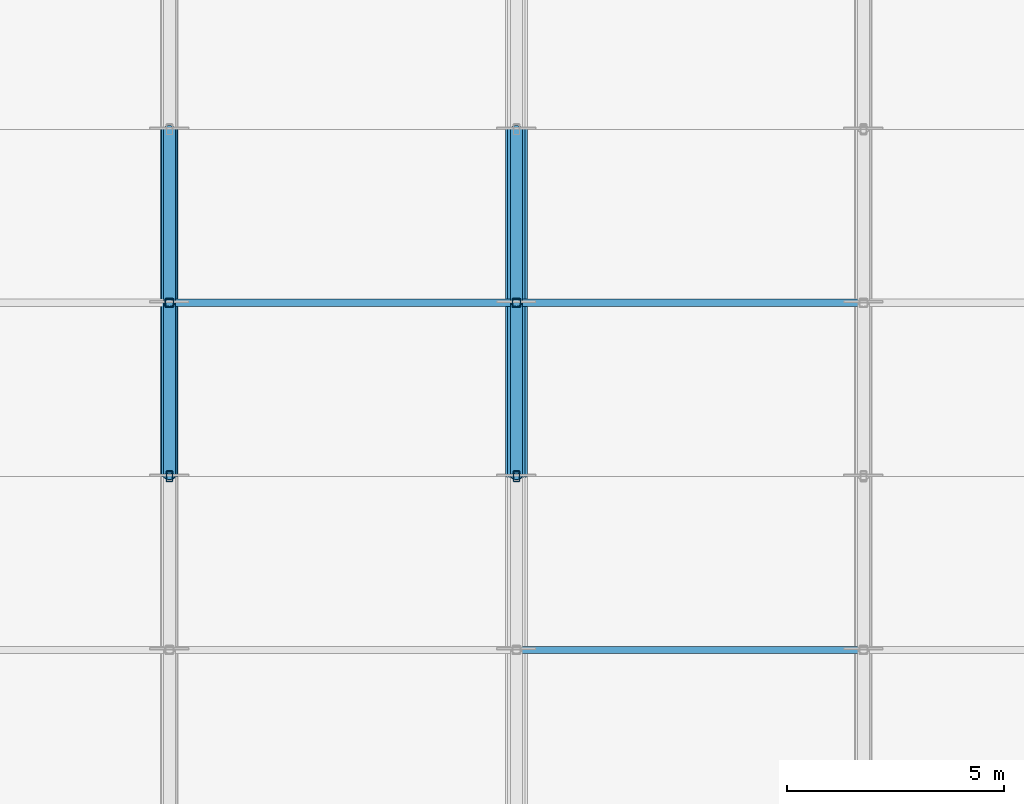
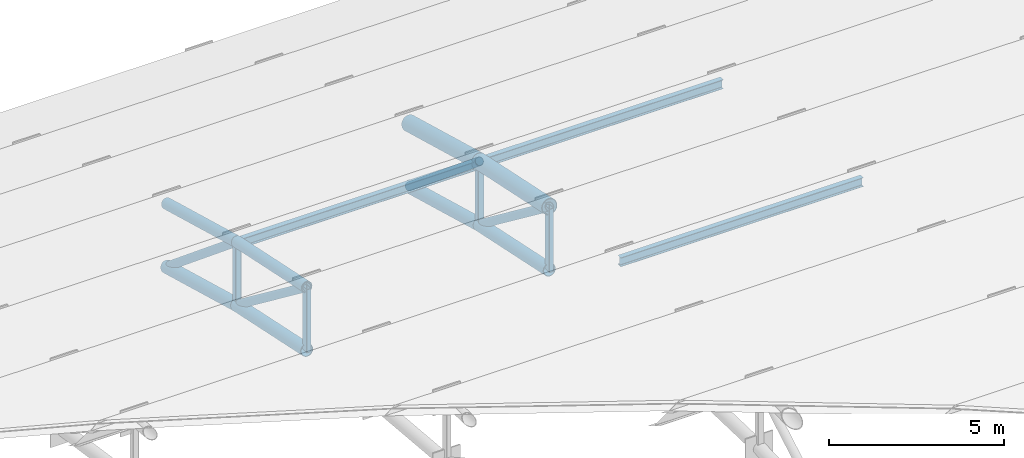
# One storey, part 36 of 98: 19 members.
"""IFC4 building model written with IfcOpenShell, lengths in metres."""

from ifc_helpers import new_model, si_unit, direction, frame, origin, origin_2d, place, context, subcontext, project, spatial, hollow_rectangle, hollow_circle, i_section, extrude, material, material_profile, profile_set, type_object, element, save


model = new_model("IFC4")

# Units and contexts
model_context = context("Model", 3, precision=1e-05, world=origin(), true_north=direction((0.0, 1.0)))
body_context = subcontext(model_context, "Body", "Model", "MODEL_VIEW")
ifc_project = project(units=[si_unit("LENGTHUNIT", "METRE"), si_unit("AREAUNIT", "SQUARE_METRE"), si_unit("VOLUMEUNIT", "CUBIC_METRE"), si_unit("PLANEANGLEUNIT", "RADIAN"), si_unit("MASSUNIT", "GRAM", prefix="KILO")], contexts=[model_context])

# Site, building, storey
site_placement = place(None, origin())
site = spatial("IfcSite", under=ifc_project, at=site_placement, CompositionType="ELEMENT")
building_placement = place(site_placement, origin())
building = spatial("IfcBuilding", under=site, at=building_placement, Name="Tlacozan Convention Centre", CompositionType="ELEMENT")
storey_placement = place(building_placement, frame((0.0, 0.0, 25.800048828125)))
storey = spatial("IfcBuildingStorey", under=building, at=storey_placement, Name="Roof", CompositionType="ELEMENT", Elevation=25.800048828125)

# Members
ifc_material_1 = material(Name="Steel ASTM A500 Grade C", Category="steel")
ifc_material_profile_1 = material_profile(ifc_material_1, hollow_circle(Radius=0.203125, WallThickness=0.015869140625, at=origin_2d()), Name="OC 406.4x15.9")
ifc_profile_set_1 = profile_set([ifc_material_profile_1], Name="Steel ASTM A500 Grade C")
member_type_1 = type_object("IfcMemberType", Name="Arch Bottom Chord OC 406.4x15.9", PredefinedType="CHORD", material=ifc_profile_set_1)
member_1_placement = place(storey_placement, frame((112.0, 106.0, -5.8671875), z_axis=(0.0, 0.978552953366, -0.205995430674), x_axis=(-1.0, 0.0, 0.0)))
element("IfcMember", 1, at=member_1_placement, inside=storey, type_object=member_type_1, Name="V2A Roof Truss 15 Bottom Chord 12", PredefinedType="CHORD", context=body_context, shape_type="SweptSolid", body=[
    extrude(hollow_circle(Radius=0.203125, WallThickness=0.015869140625, at=origin_2d()), origin(), (0.0, 0.0, 1.0), 4.087646484375),
])
member_2_placement = place(storey_placement, frame((112.0, 110.0, -6.709228515625), z_axis=(0.0, 0.964289609145, -0.26485005134), x_axis=(-1.0, 0.0, 0.0)))
element("IfcMember", 2, at=member_2_placement, inside=storey, type_object=member_type_1, Name="V2A Roof Truss 15 Bottom Chord 13", PredefinedType="CHORD", context=body_context, shape_type="SweptSolid", body=[
    extrude(hollow_circle(Radius=0.203125, WallThickness=0.015869140625, at=origin_2d()), origin(), (0.0, 0.0, 1.0), 4.148193359375),
])
member_3_placement = place(storey_placement, frame((120.0, 106.0, -5.8671875), z_axis=(0.0, 0.978552953366, -0.205995430674), x_axis=(-1.0, 0.0, 0.0)))
element("IfcMember", 3, at=member_3_placement, inside=storey, type_object=member_type_1, Name="V2A Roof Truss 16 Bottom Chord 12", PredefinedType="CHORD", context=body_context, shape_type="SweptSolid", body=[
    extrude(hollow_circle(Radius=0.203125, WallThickness=0.015869140625, at=origin_2d()), origin(), (0.0, 0.0, 1.0), 4.087646484375),
])
member_4_placement = place(storey_placement, frame((120.0, 110.0, -6.709228515625), z_axis=(0.0, 0.964289609145, -0.26485005134), x_axis=(-1.0, 0.0, 0.0)))
element("IfcMember", 4, at=member_4_placement, inside=storey, type_object=member_type_1, Name="V2A Roof Truss 16 Bottom Chord 13", PredefinedType="CHORD", context=body_context, shape_type="SweptSolid", body=[
    extrude(hollow_circle(Radius=0.203125, WallThickness=0.015869140625, at=origin_2d()), origin(), (0.0, 0.0, 1.0), 4.148193359375),
])
ifc_material_profile_2 = material_profile(ifc_material_1, hollow_circle(Radius=0.25390625, WallThickness=0.01904296875, at=origin_2d()), Name="OC 508.0x19.1")
ifc_profile_set_2 = profile_set([ifc_material_profile_2], Name="Steel ASTM A500 Grade C")
member_type_2 = type_object("IfcMemberType", Name="Arch Top Chord OC 508x19.1", PredefinedType="CHORD", material=ifc_profile_set_2)
member_5_placement = place(storey_placement, frame((120.0, 106.0, -3.667236328125), z_axis=(0.0, 0.978552953366, -0.205995430674), x_axis=(-1.0, 0.0, 0.0)))
element("IfcMember", 5, at=member_5_placement, inside=storey, type_object=member_type_2, Name="V2A Roof Truss 16 Top Chord 12", PredefinedType="CHORD", context=body_context, shape_type="SweptSolid", body=[
    extrude(hollow_circle(Radius=0.25390625, WallThickness=0.01904296875, at=origin_2d()), origin(), (0.0, 0.0, 1.0), 4.087646484375),
])
member_6_placement = place(storey_placement, frame((120.0, 110.0, -4.50927734375), z_axis=(0.0, 0.964304639076, -0.264795322949), x_axis=(-1.0, 0.0, 0.0)))
element("IfcMember", 6, at=member_6_placement, inside=storey, type_object=member_type_2, Name="V2A Roof Truss 16 Top Chord 13", PredefinedType="CHORD", context=body_context, shape_type="SweptSolid", body=[
    extrude(hollow_circle(Radius=0.25390625, WallThickness=0.01904296875, at=origin_2d()), origin(), (0.0, 0.0, 1.0), 4.14794921875),
])
ifc_material_profile_3 = material_profile(ifc_material_1, hollow_circle(Radius=0.136474609375, WallThickness=0.0126953125, at=origin_2d()), Name="OC 273.1x12.7")
ifc_profile_set_3 = profile_set([ifc_material_profile_3], Name="Steel ASTM A500 Grade C")
member_type_3 = type_object("IfcMemberType", Name="Arch Web Diagonal OC 273.1x12.7", PredefinedType="BRACE", material=ifc_profile_set_3)
member_7_placement = place(storey_placement, frame((112.0, 106.0, -3.667236328125), z_axis=(0.0, 0.795971176065, -0.605334524766), x_axis=(-1.0, 0.0, 0.0)))
element("IfcMember", 7, at=member_7_placement, inside=storey, type_object=member_type_3, Name="V2A Roof Truss 15 Web Diagonal 12", PredefinedType="BRACE", context=body_context, shape_type="SweptSolid", body=[
    extrude(hollow_circle(Radius=0.136474609375, WallThickness=0.0126953125, at=origin_2d()), origin(), (0.0, 0.0, 1.0), 5.025390625),
])
member_8_placement = place(storey_placement, frame((112.0, 110.0, -4.50927734375), z_axis=(0.0, 0.771507331308, -0.63622043172), x_axis=(-1.0, 0.0, 0.0)))
element("IfcMember", 8, at=member_8_placement, inside=storey, type_object=member_type_3, Name="V2A Roof Truss 15 Web Diagonal 13", PredefinedType="BRACE", context=body_context, shape_type="SweptSolid", body=[
    extrude(hollow_circle(Radius=0.136474609375, WallThickness=0.0126953125, at=origin_2d()), origin(), (0.0, 0.0, 1.0), 5.1845703125),
])
member_9_placement = place(storey_placement, frame((120.0, 106.0, -3.667236328125), z_axis=(0.0, 0.795971176065, -0.605334524766), x_axis=(-1.0, 0.0, 0.0)))
element("IfcMember", 9, at=member_9_placement, inside=storey, type_object=member_type_3, Name="V2A Roof Truss 16 Web Diagonal 12", PredefinedType="BRACE", context=body_context, shape_type="SweptSolid", body=[
    extrude(hollow_circle(Radius=0.136474609375, WallThickness=0.0126953125, at=origin_2d()), origin(), (0.0, 0.0, 1.0), 5.025390625),
])
member_10_placement = place(storey_placement, frame((120.0, 110.0, -4.50927734375), z_axis=(0.0, 0.771507331308, -0.63622043172), x_axis=(-1.0, 0.0, 0.0)))
element("IfcMember", 10, at=member_10_placement, inside=storey, type_object=member_type_3, Name="V2A Roof Truss 16 Web Diagonal 13", PredefinedType="BRACE", context=body_context, shape_type="SweptSolid", body=[
    extrude(hollow_circle(Radius=0.136474609375, WallThickness=0.0126953125, at=origin_2d()), origin(), (0.0, 0.0, 1.0), 5.1845703125),
])
ifc_material_profile_4 = material_profile(ifc_material_1, hollow_rectangle(XDim=0.203125, YDim=0.203125, WallThickness=0.0126953125, InnerFilletRadius=0.0126953125, OuterFilletRadius=0.02490234375, at=origin_2d()), Name="OR 203x203x12.7")
ifc_profile_set_4 = profile_set([ifc_material_profile_4], Name="Steel ASTM A500 Grade C")
member_type_4 = type_object("IfcMemberType", Name="Arch Web Strut OR 203x203x12.7", PredefinedType="STRUT", material=ifc_profile_set_4)
for number, where, z_axis, x_axis, name in (
    (11, (112.0, 110.0, -6.709228515625), (0.0, 0.0, 1.0), (1.0, 0.0, 0.0), "V2A Roof Truss 15 Vertical Strut 13"),
    (12, (120.0, 110.0, -6.709228515625), (0.0, 0.0, 1.0), (1.0, 0.0, 0.0), "V2A Roof Truss 16 Vertical Strut 13"),
):
    element("IfcMember", number, at=place(storey_placement, frame(where, z_axis=z_axis, x_axis=x_axis)), inside=storey, type_object=member_type_4, Name=name, PredefinedType="STRUT", context=body_context, shape_type="SweptSolid", body=[
        extrude(hollow_rectangle(XDim=0.203125, YDim=0.203125, WallThickness=0.0126953125, InnerFilletRadius=0.0126953125, OuterFilletRadius=0.02490234375, at=origin_2d()), origin(), (0.0, 0.0, 1.0), 2.199951171875),
    ])
ifc_material_2 = material(Name="Steel ASTM A992 Grade 50", Category="steel")
ifc_material_profile_5 = material_profile(ifc_material_2, i_section(OverallWidth=0.1669921875, OverallDepth=0.31689453125, WebThickness=0.007568359375, FlangeThickness=0.01318359375, FilletRadius=0.010009765625, at=origin_2d()), Name="IR 305x52.2")
ifc_profile_set_5 = profile_set([ifc_material_profile_5], Name="Steel ASTM A992 Grade 50")
member_type_5 = type_object("IfcMemberType", Name="Roof Purlin IR 305x52.2", PredefinedType="PURLIN", material=ifc_profile_set_5)
for number, where, z_axis, x_axis, name in (
    (13, (112.0, 110.0, -4.57421875), (1.0, 0.0, 0.0), (0.0, 1.0, 0.0), "V2A Roof Truss Purlin 15.13"),
    (14, (120.0, 102.0, -3.13720703125), (1.0, 0.0, 0.0), (0.0, 1.0, 0.0), "V2A Roof Truss Purlin 16.11"),
    (15, (120.0, 110.0, -4.57421875), (1.0, 0.0, 0.0), (0.0, 1.0, 0.0), "V2A Roof Truss Purlin 16.13"),
):
    element("IfcMember", number, at=place(storey_placement, frame(where, z_axis=z_axis, x_axis=x_axis)), inside=storey, type_object=member_type_5, Name=name, PredefinedType="PURLIN", context=body_context, shape_type="SweptSolid", body=[
        extrude(i_section(OverallWidth=0.1669921875, OverallDepth=0.31689453125, WebThickness=0.007568359375, FlangeThickness=0.01318359375, FilletRadius=0.010009765625, at=origin_2d()), origin(), (0.0, 0.0, 1.0), 8.0),
    ])
ifc_material_profile_6 = material_profile(ifc_material_1, hollow_circle(Radius=0.177734375, WallThickness=0.015869140625, at=origin_2d()), Name="OC 355.6x15.9")
ifc_profile_set_6 = profile_set([ifc_material_profile_6], Name="Steel ASTM A500 Grade C")
member_type_6 = type_object("IfcMemberType", Name="Secondary Arch Chord OC 355.6x15.9", PredefinedType="CHORD", material=ifc_profile_set_6)
member_11_placement = place(storey_placement, frame((112.0, 106.0, -3.667236328125), z_axis=(0.0, 0.978552953366, -0.205995430674), x_axis=(-1.0, 0.0, 0.0)))
element("IfcMember", 16, at=member_11_placement, inside=storey, type_object=member_type_6, Name="V2A Roof Truss 15 Top Chord 12", PredefinedType="CHORD", context=body_context, shape_type="SweptSolid", body=[
    extrude(hollow_circle(Radius=0.177734375, WallThickness=0.015869140625, at=origin_2d()), origin(), (0.0, 0.0, 1.0), 4.087646484375),
])
member_12_placement = place(storey_placement, frame((112.0, 110.0, -4.50927734375), z_axis=(0.0, 0.964304639076, -0.264795322949), x_axis=(-1.0, 0.0, 0.0)))
element("IfcMember", 17, at=member_12_placement, inside=storey, type_object=member_type_6, Name="V2A Roof Truss 15 Top Chord 13", PredefinedType="CHORD", context=body_context, shape_type="SweptSolid", body=[
    extrude(hollow_circle(Radius=0.177734375, WallThickness=0.015869140625, at=origin_2d()), origin(), (0.0, 0.0, 1.0), 4.14794921875),
])
ifc_material_profile_7 = material_profile(ifc_material_1, hollow_rectangle(XDim=0.15234375, YDim=0.25390625, WallThickness=0.0126953125, InnerFilletRadius=0.0126953125, OuterFilletRadius=0.02490234375, at=origin_2d()), Name="OR 254x152x12.7")
ifc_profile_set_7 = profile_set([ifc_material_profile_7], Name="Steel ASTM A500 Grade C")
member_type_7 = type_object("IfcMemberType", Name="Truss Secondary Strut OR 254x152x12.7", PredefinedType="STRUT", material=ifc_profile_set_7)
for number, where, z_axis, x_axis, name in (
    (18, (112.0, 106.0, -5.8671875), (0.0, 0.0, 1.0), (1.0, 0.0, 0.0), "V2A Roof Truss 15 Vertical Strut 12"),
    (19, (120.0, 106.0, -5.8671875), (0.0, 0.0, 1.0), (1.0, 0.0, 0.0), "V2A Roof Truss 16 Vertical Strut 12"),
):
    element("IfcMember", number, at=place(storey_placement, frame(where, z_axis=z_axis, x_axis=x_axis)), inside=storey, type_object=member_type_7, Name=name, PredefinedType="STRUT", context=body_context, shape_type="SweptSolid", body=[
        extrude(hollow_rectangle(XDim=0.15234375, YDim=0.25390625, WallThickness=0.0126953125, InnerFilletRadius=0.0126953125, OuterFilletRadius=0.02490234375, at=origin_2d()), origin(), (0.0, 0.0, 1.0), 2.199951171875),
    ])

save(model, "model.ifc")
